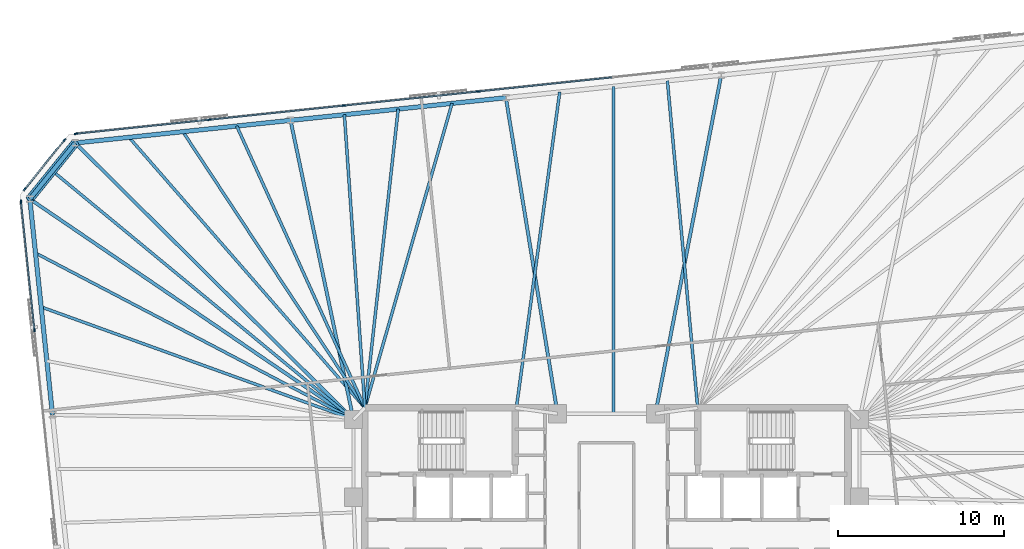
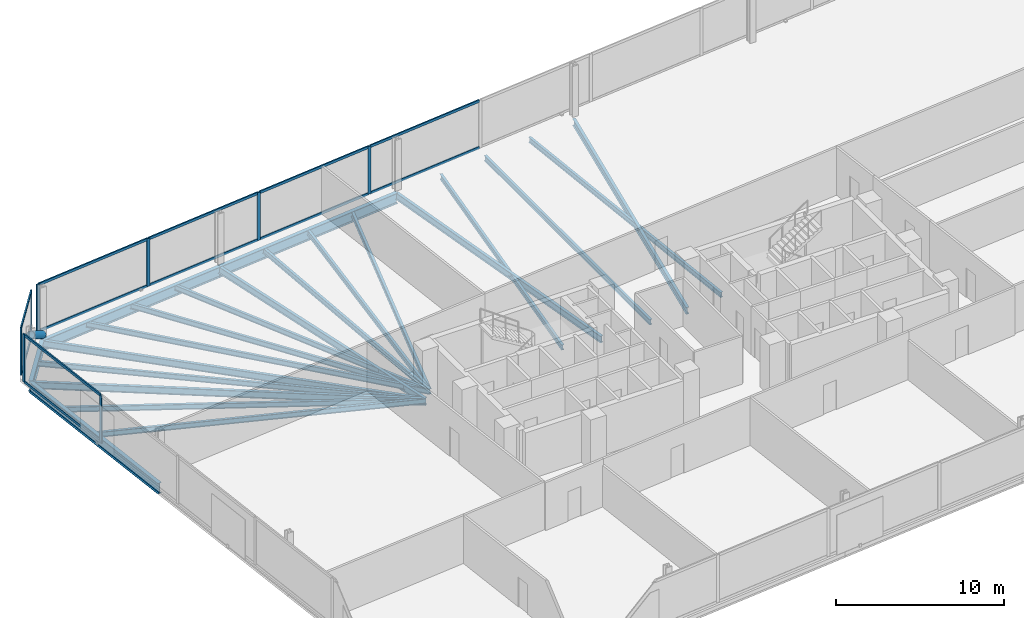
# One storey, part 9 of 18: 21 beams, 21 members, 3 elements without a shape of their own.
"""IFC4 building model written with IfcOpenShell, lengths in metres."""

import ifcopenshell
import ifcopenshell.guid

model = None  # the IFC model being written
_history = None  # IfcOwnerHistory: only IFC2X3 demands one
_inside = {}  # id of a spatial element -> (the spatial element, [elements in it])
_under = {}  # id of a project, library or spatial element -> (it, [spatial elements below it])
_declared = {}  # id of a project -> (the project, [libraries it declares])
_typed = {}  # id of a type object -> (the type object, [elements of that type])
_made_of = {}  # id of a material, layer set ... -> (it, [elements and type objects made of it])


def new_model(schema):
    """Start an empty IFC model of exactly this schema.

    Asked for "IFC4X3", IfcOpenShell would pick the latest addendum, in which some entities
    have other attributes; the version numbers below select the first issue.
    IFC2X3 requires an IfcOwnerHistory on every rooted entity: one is made here for all.
    """
    global model, _history
    if schema == "IFC4X3":
        model = ifcopenshell.file(schema_version=(4, 3, 0, 0))
    else:
        model = ifcopenshell.file(schema=schema)
    _inside.clear()
    _under.clear()
    _declared.clear()
    _typed.clear()
    _made_of.clear()
    _history = None
    if model.schema == "IFC2X3":
        org = make("IfcOrganization", Name="unknown")
        user = make(
            "IfcPersonAndOrganization",
            ThePerson=make("IfcPerson", FamilyName="unknown"),
            TheOrganization=org,
        )
        app = make(
            "IfcApplication",
            ApplicationDeveloper=org,
            Version="unknown",
            ApplicationFullName="unknown",
            ApplicationIdentifier="unknown",
        )
        _history = make(
            "IfcOwnerHistory",
            OwningUser=user,
            OwningApplication=app,
            ChangeAction="ADDED",
            CreationDate=0,
        )
    return model


def make(cls, **values):
    """One entity of the class cls with the attributes given. An attribute that is None is left unset."""
    return model.create_entity(
        cls, **{name: value for name, value in values.items() if value is not None}
    )


def rooted(cls, **values):
    """An entity with a GlobalId (a new one), such as an element, a storey or a relation."""
    return make(cls, GlobalId=ifcopenshell.guid.new(), OwnerHistory=_history, **values)


def si_unit(unit_type, name, prefix=None):
    """IfcSIUnit, for example si_unit("LENGTHUNIT", "METRE", prefix="MILLI")."""
    return make("IfcSIUnit", UnitType=unit_type, Prefix=prefix, Name=name)


def assignment(units):
    """IfcUnitAssignment: the units of a project."""
    return None if units is None else make("IfcUnitAssignment", Units=units)


def point(xyz):
    """IfcCartesianPoint."""
    return None if xyz is None else make("IfcCartesianPoint", Coordinates=xyz)


def direction(xyz):
    """IfcDirection."""
    return None if xyz is None else make("IfcDirection", DirectionRatios=xyz)


def frame(location, z_axis=None, x_axis=None):
    """IfcAxis2Placement3D, a coordinate frame: its origin and axes. An axis left out is left unset."""
    return make(
        "IfcAxis2Placement3D",
        Location=point(location),
        Axis=direction(z_axis),
        RefDirection=direction(x_axis),
    )


def frame_2d(location, x_axis=None):
    """IfcAxis2Placement2D, a coordinate frame in the plane: its origin and x axis."""
    return make(
        "IfcAxis2Placement2D", Location=point(location), RefDirection=direction(x_axis)
    )


def origin():
    """The frame at (0, 0, 0) with its axes left unset."""
    return frame((0.0, 0.0, 0.0))


def origin_2d():
    """The frame at (0, 0) in the plane with its x axis left unset."""
    return frame_2d((0.0, 0.0))


def place(relative_to, where):
    """IfcLocalPlacement: puts the frame where relative to a parent placement (None: the world)."""
    return make(
        "IfcLocalPlacement", PlacementRelTo=relative_to, RelativePlacement=where
    )


def context(
    kind, dimensions, precision=None, world=None, true_north=None, identifier=None
):
    """IfcGeometricRepresentationContext, for example the 3D "Model" context."""
    return make(
        "IfcGeometricRepresentationContext",
        ContextIdentifier=identifier,
        ContextType=kind,
        CoordinateSpaceDimension=dimensions,
        Precision=precision,
        WorldCoordinateSystem=world,
        TrueNorth=true_north,
    )


def subcontext(parent, identifier, kind, view, scale=None):
    """IfcGeometricRepresentationSubContext, for example "Body" below "Model"."""
    return make(
        "IfcGeometricRepresentationSubContext",
        ContextIdentifier=identifier,
        ContextType=kind,
        ParentContext=parent,
        TargetScale=scale,
        TargetView=view,
    )


def project(units=None, contexts=None):
    """IfcProject with its units and contexts."""
    return rooted(
        "IfcProject",
        Name="project",
        RepresentationContexts=contexts,
        UnitsInContext=assignment(units),
    )


def spatial(cls, under=None, at=None, **own):
    """A site, building, storey or space (cls), placed at a placement, below another one or the project."""
    s = rooted(cls, ObjectPlacement=at, **own)
    if under is not None:
        _under.setdefault(under.id(), (under, []))[1].append(s)
    return s


def profile(cls, at=None, kind="AREA", **sizes):
    """A parametric profile (cls). Its sizes go by their IFC names, for example OverallWidth=200.0."""
    return make(cls, ProfileType=kind, Position=at, **sizes)


def rectangle(**sizes):
    """IfcRectangleProfileDef."""
    return profile("IfcRectangleProfileDef", **sizes)


def hollow_circle(**sizes):
    """IfcCircleHollowProfileDef."""
    return profile("IfcCircleHollowProfileDef", **sizes)


def i_section(**sizes):
    """IfcIShapeProfileDef."""
    return profile("IfcIShapeProfileDef", **sizes)


def extrude(swept, where, along, depth):
    """IfcExtrudedAreaSolid: the profile swept, set in the frame where, extruded along a direction by depth."""
    return make(
        "IfcExtrudedAreaSolid",
        SweptArea=swept,
        Position=where,
        ExtrudedDirection=direction(along),
        Depth=depth,
    )


def shape(context_of_items, identifier, shape_type, items):
    """IfcShapeRepresentation: the items that make up one representation, for example the "Body"."""
    return make(
        "IfcShapeRepresentation",
        ContextOfItems=context_of_items,
        RepresentationIdentifier=identifier,
        RepresentationType=shape_type,
        Items=items,
    )


def material(Name=None, Category=None):
    """IfcMaterial."""
    return make("IfcMaterial", Name=Name, Category=Category)


def material_profile(
    of_material, cross_section, Name=None, Category=None, Priority=None
):
    """IfcMaterialProfile: a cross section and its material."""
    return make(
        "IfcMaterialProfile",
        Name=Name,
        Material=of_material,
        Profile=cross_section,
        Priority=Priority,
        Category=Category,
    )


def profile_set(profiles, Name=None, composite=None):
    """IfcMaterialProfileSet."""
    return make(
        "IfcMaterialProfileSet",
        Name=Name,
        MaterialProfiles=profiles,
        CompositeProfile=composite,
    )


def made_of(thing, what):
    """Note that an element or type object is made of a material, layer set ...; save() writes the relation."""
    if what is not None:
        _made_of.setdefault(what.id(), (what, []))[1].append(thing)
    return thing


def type_object(cls, material=None, **own):
    """A type object (cls), such as IfcWallType, which elements share."""
    return made_of(rooted(cls, **own), material)


def element(
    cls,
    number,
    at=None,
    inside=None,
    cuts=None,
    type_object=None,
    material=None,
    context=None,
    identifier="Body",
    shape_type=None,
    held_by="IfcProductDefinitionShape",
    body=None,
    shapes=None,
    **own,
):
    """One element of the class cls, such as IfcWall. Its Tag is "e" and its number.

    at: its placement. inside: the storey or other place that contains it. cuts: it is an
    opening in that element (IfcRelVoidsElement). A single representation is given by context,
    identifier, shape_type and body (its items); several are given by shapes. held_by: the class
    of the entity that holds the representations. save() writes the other relations.
    """
    e = rooted(cls, Tag="e%d" % number, ObjectPlacement=at, **own)
    if body is not None:
        shapes = [shape(context, identifier, shape_type, body)]
    if shapes is not None:
        e.Representation = make(held_by, Representations=shapes)
    if inside is not None:
        _inside.setdefault(inside.id(), (inside, []))[1].append(e)
    if cuts is not None:
        rooted(
            "IfcRelVoidsElement", RelatingBuildingElement=cuts, RelatedOpeningElement=e
        )
    if type_object is not None:
        _typed.setdefault(type_object.id(), (type_object, []))[1].append(e)
    return made_of(e, material)


def aggregate(whole, parts):
    """IfcRelAggregates: a whole, such as a stair, and the parts it consists of."""
    return rooted("IfcRelAggregates", RelatingObject=whole, RelatedObjects=parts)


def save(model, path):
    """Write the relations noted so far, then the file.

    IfcRelAggregates (storeys below a building ...), IfcRelContainedInSpatialStructure (elements
    in a storey), IfcRelDefinesByType, IfcRelAssociatesMaterial and IfcRelDeclares: one each for
    every whole, place, type object, material and project.
    """
    for whole, parts in _under.values():
        aggregate(whole, parts)
    for where, things in _inside.values():
        rooted(
            "IfcRelContainedInSpatialStructure",
            RelatedElements=things,
            RelatingStructure=where,
        )
    for kind, things in _typed.values():
        rooted("IfcRelDefinesByType", RelatedObjects=things, RelatingType=kind)
    for what, things in _made_of.values():
        rooted("IfcRelAssociatesMaterial", RelatedObjects=things, RelatingMaterial=what)
    for by, libraries in _declared.values():
        rooted("IfcRelDeclares", RelatingContext=by, RelatedDefinitions=libraries)
    model.write(path)


model = new_model("IFC4")

# Units and contexts
model_context = context("Model", 3, precision=1e-05, world=origin(), true_north=direction((0.0, 1.0)))
body_context = subcontext(model_context, "Body", "Model", "MODEL_VIEW")
ifc_project = project(units=[si_unit("LENGTHUNIT", "METRE"), si_unit("AREAUNIT", "SQUARE_METRE"), si_unit("VOLUMEUNIT", "CUBIC_METRE"), si_unit("PLANEANGLEUNIT", "RADIAN"), si_unit("MASSUNIT", "GRAM", prefix="KILO")], contexts=[model_context])

# Site, building, storey
site_placement = place(None, origin())
site = spatial("IfcSite", under=ifc_project, at=site_placement, CompositionType="ELEMENT")
building_placement = place(site_placement, origin())
building = spatial("IfcBuilding", under=site, at=building_placement, Name="Menara Jurai Vektor", CompositionType="ELEMENT")
storey_placement = place(building_placement, frame((0.0, 0.0, 102.199951171875)))
storey = spatial("IfcBuildingStorey", under=building, at=storey_placement, Name="L25", CompositionType="ELEMENT", Elevation=102.199951171875)

# Curtain wall, members
ifc_material_1 = material(Name="Anodised Pale Aluminium & Low-E Double Glazing", Category="aluminium")
curtain_wall_type = type_object("IfcCurtainWallType", Name="CW-BLK2", PredefinedType="NOTDEFINED", material=ifc_material_1)
curtain_wall_1_placement = place(storey_placement, origin())
curtain_wall_1 = element("IfcCurtainWall", 1, at=curtain_wall_1_placement, inside=storey, type_object=curtain_wall_type, Name="Unitised Curtain Wall L25 F05", PredefinedType="NOTDEFINED")
ifc_material_2 = material(Name="Anodised Pale Aluminium Mullion", Category="aluminium")
ifc_material_profile_1 = material_profile(ifc_material_2, rectangle(XDim=0.090087890625, YDim=0.219970703125, at=origin_2d()), Name="ALU MUL 90x220")
ifc_profile_set_1 = profile_set([ifc_material_profile_1], Name="Anodised Pale Aluminium Mullion")
member_type_1 = type_object("IfcMemberType", Name="CW-BLK2-MUL", PredefinedType="MULLION", material=ifc_profile_set_1)
member_1_placement = place(storey_placement, frame((-7.728271484375, 24.67138671875, 0.0), z_axis=(0.0, 0.0, 1.0), x_axis=(0.104528634935, -0.994521877325, 0.0)))
member_1 = element("IfcMember", 2, at=member_1_placement, type_object=member_type_1, Name="CW-02 mullion 6", PredefinedType="MULLION", context=body_context, shape_type="SweptSolid", body=[
    extrude(rectangle(XDim=0.090087890625, YDim=0.219970703125, at=origin_2d()), origin(), (0.0, 0.0, 1.0), 3.47509765625),
])
member_2_placement = place(storey_placement, frame((-15.826171875, 23.8203125, 0.0), z_axis=(0.0, 0.0, 1.0), x_axis=(0.104528634935, -0.994521877325, 0.0)))
member_2 = element("IfcMember", 3, at=member_2_placement, type_object=member_type_1, Name="CW-02 mullion 7", PredefinedType="MULLION", context=body_context, shape_type="SweptSolid", body=[
    extrude(rectangle(XDim=0.090087890625, YDim=0.219970703125, at=origin_2d()), origin(), (0.0, 0.0, 1.0), 3.47509765625),
])
member_3_placement = place(storey_placement, frame((-23.924072265625, 22.96923828125, 0.0), z_axis=(0.0, 0.0, 1.0), x_axis=(0.104528634935, -0.994521877325, 0.0)))
member_3 = element("IfcMember", 4, at=member_3_placement, type_object=member_type_1, Name="CW-02 mullion 8", PredefinedType="MULLION", context=body_context, shape_type="SweptSolid", body=[
    extrude(rectangle(XDim=0.090087890625, YDim=0.219970703125, at=origin_2d()), origin(), (0.0, 0.0, 1.0), 3.47509765625),
])
member_4_placement = place(storey_placement, frame((-31.97705078125, 22.122802734375, 0.0), z_axis=(0.0, 0.0, 1.0), x_axis=(0.104528634935, -0.994521877325, 0.0)))
member_4 = element("IfcMember", 5, at=member_4_placement, type_object=member_type_1, Name="CW-02 mullion 9", PredefinedType="MULLION", context=body_context, shape_type="SweptSolid", body=[
    extrude(rectangle(XDim=0.090087890625, YDim=0.219970703125, at=origin_2d()), origin(), (0.0, 0.0, 1.0), 3.47509765625),
])

curtain_wall_2_placement = place(storey_placement, origin())
curtain_wall_2 = element("IfcCurtainWall", 6, at=curtain_wall_2_placement, inside=storey, type_object=curtain_wall_type, Name="Unitised Curtain Wall L25 F06", PredefinedType="NOTDEFINED")
member_5_placement = place(storey_placement, frame((-32.667236328125, 21.748046875, 0.0), z_axis=(0.0, 0.0, 1.0), x_axis=(0.777129222223, -0.62934106172, 0.0)))
member_5 = element("IfcMember", 7, at=member_5_placement, type_object=member_type_1, Name="CW-02 mullion 1", PredefinedType="MULLION", context=body_context, shape_type="SweptSolid", body=[
    extrude(rectangle(XDim=0.090087890625, YDim=0.219970703125, at=origin_2d()), origin(), (0.0, 0.0, 1.0), 3.47509765625),
])
member_6_placement = place(storey_placement, frame((-35.0693359375, 18.781982421875, 0.0), z_axis=(0.0, 0.0, 1.0), x_axis=(0.777129222223, -0.62934106172, 0.0)))
member_6 = element("IfcMember", 8, at=member_6_placement, type_object=member_type_1, Name="CW-02 mullion 2", PredefinedType="MULLION", context=body_context, shape_type="SweptSolid", body=[
    extrude(rectangle(XDim=0.090087890625, YDim=0.219970703125, at=origin_2d()), origin(), (0.0, 0.0, 1.0), 3.47509765625),
])

curtain_wall_3_placement = place(storey_placement, origin())
curtain_wall_3 = element("IfcCurtainWall", 9, at=curtain_wall_3_placement, inside=storey, type_object=curtain_wall_type, Name="Unitised Curtain Wall L25 F07", PredefinedType="NOTDEFINED")
member_7_placement = place(storey_placement, frame((-35.29248046875, 18.029052734375, 0.0), z_axis=(0.0, 0.0, 1.0), x_axis=(0.99452177832, 0.104529576902, 0.0)))
member_7 = element("IfcMember", 10, at=member_7_placement, type_object=member_type_1, Name="CW-02 mullion 1", PredefinedType="MULLION", context=body_context, shape_type="SweptSolid", body=[
    extrude(rectangle(XDim=0.090087890625, YDim=0.219970703125, at=origin_2d()), origin(), (0.0, 0.0, 1.0), 3.47509765625),
])
member_8_placement = place(storey_placement, frame((-34.478759765625, 10.28857421875, 0.0), z_axis=(0.0, 0.0, 1.0), x_axis=(0.99452177832, 0.104529576902, 0.0)))
member_8 = element("IfcMember", 11, at=member_8_placement, type_object=member_type_1, Name="CW-02 mullion 2", PredefinedType="MULLION", context=body_context, shape_type="SweptSolid", body=[
    extrude(rectangle(XDim=0.090087890625, YDim=0.219970703125, at=origin_2d()), origin(), (0.0, 0.0, 1.0), 3.47509765625),
])

# Member
ifc_material_3 = material(Name="Anodised Pale Aluminium Transom", Category="aluminium")
ifc_material_profile_2 = material_profile(ifc_material_3, rectangle(XDim=0.090087890625, YDim=0.18505859375, at=origin_2d()), Name="ALU TRN 90x185")
ifc_profile_set_2 = profile_set([ifc_material_profile_2], Name="Anodised Pale Aluminium Transom")
member_type_2 = type_object("IfcMemberType", Name="CW-BLK2-TRN", PredefinedType="USERDEFINED", material=ifc_profile_set_2)
member_9_placement = place(storey_placement, frame((0.324951171875, 25.517822265625, 0.045166015625), z_axis=(-0.99452387809, -0.104509597213, 0.0), x_axis=(0.104509597213, -0.99452387809, 0.0)))
member_9 = element("IfcMember", 12, at=member_9_placement, type_object=member_type_2, Name="CW-02 transom 5.1", ObjectType="TRANSOM", PredefinedType="USERDEFINED", context=body_context, shape_type="SweptSolid", body=[
    extrude(rectangle(XDim=0.090087890625, YDim=0.18505859375, at=origin_2d()), origin(), (0.0, 0.0, 1.0), 8.052490234375),
])

member_10_placement = place(storey_placement, frame((0.324951171875, 25.517822265625, 3.429931640625), z_axis=(-0.99452387809, -0.104509597213, 0.0), x_axis=(0.104509597213, -0.99452387809, 0.0)))
member_10 = element("IfcMember", 13, at=member_10_placement, type_object=member_type_2, Name="CW-02 transom 5.2", ObjectType="TRANSOM", PredefinedType="USERDEFINED", context=body_context, shape_type="SweptSolid", body=[
    extrude(rectangle(XDim=0.090087890625, YDim=0.18505859375, at=origin_2d()), origin(), (0.0, 0.0, 1.0), 8.052490234375),
])

member_11_placement = place(storey_placement, frame((-7.77294921875, 24.666748046875, 0.045166015625), z_axis=(-0.994520726373, -0.10453958492, 0.0), x_axis=(0.10453958492, -0.994520726373, 0.0)))
member_11 = element("IfcMember", 14, at=member_11_placement, type_object=member_type_2, Name="CW-02 transom 6.1", ObjectType="TRANSOM", PredefinedType="USERDEFINED", context=body_context, shape_type="SweptSolid", body=[
    extrude(rectangle(XDim=0.090087890625, YDim=0.18505859375, at=origin_2d()), origin(), (0.0, 0.0, 1.0), 8.052490234375),
])

member_12_placement = place(storey_placement, frame((-7.77294921875, 24.666748046875, 3.429931640625), z_axis=(-0.994520726373, -0.10453958492, 0.0), x_axis=(0.10453958492, -0.994520726373, 0.0)))
member_12 = element("IfcMember", 15, at=member_12_placement, type_object=member_type_2, Name="CW-02 transom 6.2", ObjectType="TRANSOM", PredefinedType="USERDEFINED", context=body_context, shape_type="SweptSolid", body=[
    extrude(rectangle(XDim=0.090087890625, YDim=0.18505859375, at=origin_2d()), origin(), (0.0, 0.0, 1.0), 8.052490234375),
])

member_13_placement = place(storey_placement, frame((-15.870849609375, 23.815673828125, 0.045166015625), z_axis=(-0.994520726373, -0.10453958492, 0.0), x_axis=(0.10453958492, -0.994520726373, 0.0)))
member_13 = element("IfcMember", 16, at=member_13_placement, type_object=member_type_2, Name="CW-02 transom 7.1", ObjectType="TRANSOM", PredefinedType="USERDEFINED", context=body_context, shape_type="SweptSolid", body=[
    extrude(rectangle(XDim=0.090087890625, YDim=0.18505859375, at=origin_2d()), origin(), (0.0, 0.0, 1.0), 8.052490234375),
])

member_14_placement = place(storey_placement, frame((-15.870849609375, 23.815673828125, 3.429931640625), z_axis=(-0.994520726373, -0.10453958492, 0.0), x_axis=(0.10453958492, -0.994520726373, 0.0)))
member_14 = element("IfcMember", 17, at=member_14_placement, type_object=member_type_2, Name="CW-02 transom 7.2", ObjectType="TRANSOM", PredefinedType="USERDEFINED", context=body_context, shape_type="SweptSolid", body=[
    extrude(rectangle(XDim=0.090087890625, YDim=0.18505859375, at=origin_2d()), origin(), (0.0, 0.0, 1.0), 8.052490234375),
])

member_15_placement = place(storey_placement, frame((-23.96875, 22.964599609375, 0.045166015625), z_axis=(-0.994519977808, -0.104546706027, 0.0), x_axis=(0.104546706027, -0.994519977808, 0.0)))
member_15 = element("IfcMember", 18, at=member_15_placement, type_object=member_type_2, Name="CW-02 transom 8.1", ObjectType="TRANSOM", PredefinedType="USERDEFINED", context=body_context, shape_type="SweptSolid", body=[
    extrude(rectangle(XDim=0.090087890625, YDim=0.18505859375, at=origin_2d()), origin(), (0.0, 0.0, 1.0), 8.007568359375),
])

member_16_placement = place(storey_placement, frame((-23.96875, 22.964599609375, 3.429931640625), z_axis=(-0.994519977808, -0.104546706027, 0.0), x_axis=(0.104546706027, -0.994519977808, 0.0)))
member_16 = element("IfcMember", 19, at=member_16_placement, type_object=member_type_2, Name="CW-02 transom 8.2", ObjectType="TRANSOM", PredefinedType="USERDEFINED", context=body_context, shape_type="SweptSolid", body=[
    extrude(rectangle(XDim=0.090087890625, YDim=0.18505859375, at=origin_2d()), origin(), (0.0, 0.0, 1.0), 8.007568359375),
])

aggregate(curtain_wall_1, [member_1, member_2, member_3, member_4, member_9, member_10, member_11, member_12, member_13, member_14, member_15, member_16])

member_17_placement = place(storey_placement, frame((-32.695556640625, 21.713134765625, 0.045166015625), z_axis=(-0.6293414396, -0.777128916205, 0.0), x_axis=(0.777128916205, -0.6293414396, 0.0)))
member_17 = element("IfcMember", 20, at=member_17_placement, type_object=member_type_2, Name="CW-02 transom 1.1", ObjectType="TRANSOM", PredefinedType="USERDEFINED", context=body_context, shape_type="SweptSolid", body=[
    extrude(rectangle(XDim=0.090087890625, YDim=0.18505859375, at=origin_2d()), origin(), (0.0, 0.0, 1.0), 3.726806640625),
])

member_18_placement = place(storey_placement, frame((-32.695556640625, 21.713134765625, 3.429931640625), z_axis=(-0.6293414396, -0.777128916205, 0.0), x_axis=(0.777128916205, -0.6293414396, 0.0)))
member_18 = element("IfcMember", 21, at=member_18_placement, type_object=member_type_2, Name="CW-02 transom 1.2", ObjectType="TRANSOM", PredefinedType="USERDEFINED", context=body_context, shape_type="SweptSolid", body=[
    extrude(rectangle(XDim=0.090087890625, YDim=0.18505859375, at=origin_2d()), origin(), (0.0, 0.0, 1.0), 3.726806640625),
])

aggregate(curtain_wall_2, [member_5, member_6, member_17, member_18])

member_19_placement = place(storey_placement, frame((-35.28759765625, 17.984130859375, 0.045166015625), z_axis=(0.104504716935, -0.994524390922, 0.0), x_axis=(0.994524390922, 0.104504716935, 0.0)))
member_19 = element("IfcMember", 22, at=member_19_placement, type_object=member_type_2, Name="CW-02 transom 1.1", ObjectType="TRANSOM", PredefinedType="USERDEFINED", context=body_context, shape_type="SweptSolid", body=[
    extrude(rectangle(XDim=0.090087890625, YDim=0.18505859375, at=origin_2d()), origin(), (0.0, 0.0, 1.0), 7.693115234375),
])

member_20_placement = place(storey_placement, frame((-35.28759765625, 17.984130859375, 3.429931640625), z_axis=(0.104504716935, -0.994524390922, 0.0), x_axis=(0.994524390922, 0.104504716935, 0.0)))
member_20 = element("IfcMember", 23, at=member_20_placement, type_object=member_type_2, Name="CW-02 transom 1.2", ObjectType="TRANSOM", PredefinedType="USERDEFINED", context=body_context, shape_type="SweptSolid", body=[
    extrude(rectangle(XDim=0.090087890625, YDim=0.18505859375, at=origin_2d()), origin(), (0.0, 0.0, 1.0), 7.693115234375),
])

aggregate(curtain_wall_3, [member_7, member_8, member_19, member_20])

# Beams
ifc_material_4 = material(Name="Steel S355", Category="steel")
ifc_material_profile_3 = material_profile(ifc_material_4, i_section(OverallWidth=0.199951171875, OverallDepth=0.5, WebThickness=0.011962890625, FlangeThickness=0.02001953125, at=origin_2d()), Name="PG 500x200x96")
ifc_profile_set_3 = profile_set([ifc_material_profile_3], Name="Steel S355")
beam_type_1 = type_object("IfcBeamType", Name="STR-BM-500", PredefinedType="BEAM", material=ifc_profile_set_3)
beam_1_placement = place(storey_placement, frame((6.9169921875, 25.65771484375, -0.474853515625), z_axis=(-0.190817481746, -0.981625533826, 0.0), x_axis=(0.981625533826, -0.190817481746, 0.0)))
element("IfcBeam", 24, at=beam_1_placement, inside=storey, type_object=beam_type_1, Name="Radial Floor Girder L25-N3", PredefinedType="BEAM", context=body_context, shape_type="SweptSolid", body=[
    extrude(i_section(OverallWidth=0.199951171875, OverallDepth=0.5, WebThickness=0.011962890625, FlangeThickness=0.02001953125, at=origin_2d()), origin(), (0.0, 0.0, 1.0), 20.789794921875),
])
beam_2_placement = place(storey_placement, frame((-6.0625, 24.29345703125, -0.474853515625), z_axis=(0.161304178177, -0.986904738109, 0.0), x_axis=(0.986904738109, 0.161304178177, 0.0)))
element("IfcBeam", 25, at=beam_2_placement, inside=storey, type_object=beam_type_1, Name="Radial Floor Girder L25-N4", PredefinedType="BEAM", context=body_context, shape_type="SweptSolid", body=[
    extrude(i_section(OverallWidth=0.199951171875, OverallDepth=0.5, WebThickness=0.011962890625, FlangeThickness=0.02001953125, at=origin_2d()), origin(), (0.0, 0.0, 1.0), 19.296142578125),
])
beam_3_placement = place(storey_placement, frame((-19.042236328125, 22.92919921875, -0.474853515625), z_axis=(0.205833499861, -0.978587027471, 0.0), x_axis=(0.978587027471, 0.205833499861, 0.0)))
element("IfcBeam", 26, at=beam_3_placement, inside=storey, type_object=beam_type_1, Name="Radial Floor Girder L25-N5", PredefinedType="BEAM", context=body_context, shape_type="SweptSolid", body=[
    extrude(i_section(OverallWidth=0.199951171875, OverallDepth=0.5, WebThickness=0.011962890625, FlangeThickness=0.02001953125, at=origin_2d()), origin(), (0.0, 0.0, 1.0), 18.423828125),
])
beam_4_placement = place(storey_placement, frame((-32.02197265625, 21.565185546875, -0.474853515625), z_axis=(0.709359361276, -0.704847002242, 0.0), x_axis=(0.704847002242, 0.709359361276, 0.0)))
element("IfcBeam", 27, at=beam_4_placement, inside=storey, type_object=beam_type_1, Name="Radial Floor Girder L25-N6", PredefinedType="BEAM", context=body_context, shape_type="SweptSolid", body=[
    extrude(i_section(OverallWidth=0.199951171875, OverallDepth=0.5, WebThickness=0.011962890625, FlangeThickness=0.02001953125, at=origin_2d()), origin(), (0.0, 0.0, 1.0), 23.643798828125),
])
beam_5_placement = place(storey_placement, frame((-34.756103515625, 18.188720703125, -0.474853515625), z_axis=(0.826440214756, -0.563024485643, 0.0), x_axis=(0.563024485643, 0.826440214756, 0.0)))
element("IfcBeam", 28, at=beam_5_placement, inside=storey, type_object=beam_type_1, Name="Radial Floor Girder L25-W1", PredefinedType="BEAM", context=body_context, shape_type="SweptSolid", body=[
    extrude(i_section(OverallWidth=0.199951171875, OverallDepth=0.5, WebThickness=0.011962890625, FlangeThickness=0.02001953125, at=origin_2d()), origin(), (0.0, 0.0, 1.0), 23.6025390625),
])

# Member
ifc_material_5 = material(Name="Steel S460", Category="steel")
ifc_material_profile_4 = material_profile(ifc_material_5, hollow_circle(Radius=0.25390625, WallThickness=0.02001953125, at=origin_2d()), Name="CHS 508x20")
ifc_profile_set_4 = profile_set([ifc_material_profile_4], Name="Steel S460")
member_type_3 = type_object("IfcMemberType", Name="STR-BR-508", PredefinedType="BRACE", material=ifc_profile_set_4)
member_21_placement = place(storey_placement, frame((-32.02197265625, 21.565185546875, 0.150146484375), z_axis=(-0.51925145818, -0.641240080956, 0.564968213047), x_axis=(0.777154568396, -0.629309762217, 0.0)))
element("IfcMember", 29, at=member_21_placement, inside=storey, type_object=member_type_3, Name="Exoskeleton Corner Brace L25-3", PredefinedType="BRACE", context=body_context, shape_type="SweptSolid", body=[
    extrude(hollow_circle(Radius=0.25390625, WallThickness=0.02001953125, at=origin_2d()), origin(), (0.0, 0.0, 1.0), 5.265625),
])

# Beams
ifc_material_profile_5 = material_profile(ifc_material_4, i_section(OverallWidth=0.175048828125, OverallDepth=0.3798828125, WebThickness=0.010009765625, FlangeThickness=0.014892578125, at=origin_2d()), Name="PG 380x175x58")
ifc_profile_set_5 = profile_set([ifc_material_profile_5], Name="Steel S355")
beam_type_2 = type_object("IfcBeamType", Name="STR-JS-380", PredefinedType="JOIST", material=ifc_profile_set_5)
beam_6_placement = place(storey_placement, frame((3.672119140625, 25.316650390625, -0.4150390625), z_axis=(0.092312082085, -0.995730123829, 0.0), x_axis=(0.995730123829, 0.092312082085, 0.0)))
element("IfcBeam", 30, at=beam_6_placement, inside=storey, type_object=beam_type_2, Name="Radial Secondary Floor Joist L25-JS26", PredefinedType="JOIST", context=body_context, shape_type="SweptSolid", body=[
    extrude(i_section(OverallWidth=0.175048828125, OverallDepth=0.3798828125, WebThickness=0.010009765625, FlangeThickness=0.014892578125, at=origin_2d()), origin(), (0.0, 0.0, 1.0), 19.801025390625),
])
beam_7_placement = place(storey_placement, frame((0.42724609375, 24.9755859375, -0.4150390625), z_axis=(0.0, -1.0, 0.0), x_axis=(1.0, 0.0, 0.0)))
element("IfcBeam", 31, at=beam_7_placement, inside=storey, type_object=beam_type_2, Name="Radial Secondary Floor Joist L25-JS27", PredefinedType="JOIST", context=body_context, shape_type="SweptSolid", body=[
    extrude(i_section(OverallWidth=0.175048828125, OverallDepth=0.3798828125, WebThickness=0.010009765625, FlangeThickness=0.014892578125, at=origin_2d()), origin(), (0.0, 0.0, 1.0), 19.7255859375),
])
beam_8_placement = place(storey_placement, frame((-2.817626953125, 24.634521484375, -0.4150390625), z_axis=(-0.135987109192, -0.990710606652, 0.0), x_axis=(0.990710606652, -0.135987109192, 0.0)))
element("IfcBeam", 32, at=beam_8_placement, inside=storey, type_object=beam_type_2, Name="Radial Secondary Floor Joist L25-JS28", PredefinedType="JOIST", context=body_context, shape_type="SweptSolid", body=[
    extrude(i_section(OverallWidth=0.175048828125, OverallDepth=0.3798828125, WebThickness=0.010009765625, FlangeThickness=0.014892578125, at=origin_2d()), origin(), (0.0, 0.0, 1.0), 19.222412109375),
])
beam_9_placement = place(storey_placement, frame((-9.3076171875, 23.952392578125, -0.4150390625), z_axis=(-0.275153530359, -0.961400298903, 0.0), x_axis=(0.961400298903, -0.275153530359, 0.0)))
element("IfcBeam", 33, at=beam_9_placement, inside=storey, type_object=beam_type_2, Name="Radial Secondary Floor Joist L25-JS29", PredefinedType="JOIST", context=body_context, shape_type="SweptSolid", body=[
    extrude(i_section(OverallWidth=0.175048828125, OverallDepth=0.3798828125, WebThickness=0.010009765625, FlangeThickness=0.014892578125, at=origin_2d()), origin(), (0.0, 0.0, 1.0), 19.089111328125),
])
beam_10_placement = place(storey_placement, frame((-12.552490234375, 23.611328125, -0.4150390625), z_axis=(-0.110776028048, -0.993845396231, 0.0), x_axis=(0.993845396231, -0.110776028048, 0.0)))
element("IfcBeam", 34, at=beam_10_placement, inside=storey, type_object=beam_type_2, Name="Radial Secondary Floor Joist L25-JS30", PredefinedType="JOIST", context=body_context, shape_type="SweptSolid", body=[
    extrude(i_section(OverallWidth=0.175048828125, OverallDepth=0.3798828125, WebThickness=0.010009765625, FlangeThickness=0.014892578125, at=origin_2d()), origin(), (0.0, 0.0, 1.0), 18.122802734375),
])
beam_11_placement = place(storey_placement, frame((-15.79736328125, 23.2705078125, -0.4150390625), z_axis=(0.069850249402, -0.997557488398, 0.0), x_axis=(0.997557488398, 0.069850249402, 0.0)))
element("IfcBeam", 35, at=beam_11_placement, inside=storey, type_object=beam_type_2, Name="Radial Secondary Floor Joist L25-JS31", PredefinedType="JOIST", context=body_context, shape_type="SweptSolid", body=[
    extrude(i_section(OverallWidth=0.175048828125, OverallDepth=0.3798828125, WebThickness=0.010009765625, FlangeThickness=0.014892578125, at=origin_2d()), origin(), (0.0, 0.0, 1.0), 17.713623046875),
])
beam_12_placement = place(storey_placement, frame((-22.287109375, 22.58837890625, -0.4150390625), z_axis=(0.414029617818, -0.910263409992, 0.0), x_axis=(0.910263409992, 0.414029617818, 0.0)))
element("IfcBeam", 36, at=beam_12_placement, inside=storey, type_object=beam_type_2, Name="Radial Secondary Floor Joist L25-JS32", PredefinedType="JOIST", context=body_context, shape_type="SweptSolid", body=[
    extrude(i_section(OverallWidth=0.175048828125, OverallDepth=0.3798828125, WebThickness=0.010009765625, FlangeThickness=0.014892578125, at=origin_2d()), origin(), (0.0, 0.0, 1.0), 18.6630859375),
])
beam_13_placement = place(storey_placement, frame((-25.531982421875, 22.247314453125, -0.4150390625), z_axis=(0.550309675793, -0.834960634239, 0.0), x_axis=(0.834960634239, 0.550309675793, 0.0)))
element("IfcBeam", 37, at=beam_13_placement, inside=storey, type_object=beam_type_2, Name="Radial Secondary Floor Joist L25-JS33", PredefinedType="JOIST", context=body_context, shape_type="SweptSolid", body=[
    extrude(i_section(OverallWidth=0.175048828125, OverallDepth=0.3798828125, WebThickness=0.010009765625, FlangeThickness=0.014892578125, at=origin_2d()), origin(), (0.0, 0.0, 1.0), 19.937744140625),
])
beam_14_placement = place(storey_placement, frame((-28.777099609375, 21.90625, -0.4150390625), z_axis=(0.657172520545, -0.753740192798, 0.0), x_axis=(0.753740192798, 0.657172520545, 0.0)))
element("IfcBeam", 38, at=beam_14_placement, inside=storey, type_object=beam_type_2, Name="Radial Secondary Floor Joist L25-JS34", PredefinedType="JOIST", context=body_context, shape_type="SweptSolid", body=[
    extrude(i_section(OverallWidth=0.175048828125, OverallDepth=0.3798828125, WebThickness=0.010009765625, FlangeThickness=0.014892578125, at=origin_2d()), origin(), (0.0, 0.0, 1.0), 21.633544921875),
])
beam_15_placement = place(storey_placement, frame((-33.388916015625, 19.876953125, -0.4150390625), z_axis=(0.771113505069, -0.636697700876, 0.0), x_axis=(0.636697700876, 0.771113505069, 0.0)))
element("IfcBeam", 39, at=beam_15_placement, inside=storey, type_object=beam_type_2, Name="Radial Secondary Floor Joist L25-JS35", PredefinedType="JOIST", context=body_context, shape_type="SweptSolid", body=[
    extrude(i_section(OverallWidth=0.175048828125, OverallDepth=0.3798828125, WebThickness=0.010009765625, FlangeThickness=0.014892578125, at=origin_2d()), origin(), (0.0, 0.0, 1.0), 23.52294921875),
])
beam_16_placement = place(storey_placement, frame((-34.414306640625, 14.935302734375, -0.4150390625), z_axis=(0.885889402471, -0.463896504179, 0.0), x_axis=(0.463896504179, 0.885889402471, 0.0)))
element("IfcBeam", 40, at=beam_16_placement, inside=storey, type_object=beam_type_2, Name="Radial Secondary Floor Joist L25-JS36", PredefinedType="JOIST", context=body_context, shape_type="SweptSolid", body=[
    extrude(i_section(OverallWidth=0.175048828125, OverallDepth=0.3798828125, WebThickness=0.010009765625, FlangeThickness=0.014892578125, at=origin_2d()), origin(), (0.0, 0.0, 1.0), 21.6328125),
])
beam_17_placement = place(storey_placement, frame((-34.072265625, 11.681884765625, -0.4150390625), z_axis=(0.940792327273, -0.338983475917, 0.0), x_axis=(0.338983475917, 0.940792327273, 0.0)))
element("IfcBeam", 41, at=beam_17_placement, inside=storey, type_object=beam_type_2, Name="Radial Secondary Floor Joist L25-JS37", PredefinedType="JOIST", context=body_context, shape_type="SweptSolid", body=[
    extrude(i_section(OverallWidth=0.175048828125, OverallDepth=0.3798828125, WebThickness=0.010009765625, FlangeThickness=0.014892578125, at=origin_2d()), origin(), (0.0, 0.0, 1.0), 20.0068359375),
])
ifc_material_profile_6 = material_profile(ifc_material_5, i_section(OverallWidth=0.26806640625, OverallDepth=0.77001953125, WebThickness=0.01611328125, FlangeThickness=0.02490234375, FilletRadius=0.01708984375, at=origin_2d()), Name="UKB 762x267x197")
ifc_profile_set_6 = profile_set([ifc_material_profile_6], Name="Steel S460")
beam_type_3 = type_object("IfcBeamType", Name="STR-SP-762", PredefinedType="SPANDREL", material=ifc_profile_set_6)
for number, where, z_axis, x_axis, name in (
    (42, (-6.0625, 24.29345703125, -0.60986328125), (-0.994521636083, -0.104530930169, 0.0), (0.104530930169, -0.994521636083, 0.0), "Exoskeleton Spandrel Beam L25-14"),
    (43, (-19.042236328125, 22.92919921875, -0.60986328125), (-0.994523580592, -0.104512428191, 0.0), (0.104512428191, -0.994523580592, 0.0), "Exoskeleton Spandrel Beam L25-15"),
):
    element("IfcBeam", number, at=place(storey_placement, frame(where, z_axis=z_axis, x_axis=x_axis)), inside=storey, type_object=beam_type_3, Name=name, PredefinedType="SPANDREL", context=body_context, shape_type="SweptSolid", body=[
        extrude(i_section(OverallWidth=0.26806640625, OverallDepth=0.77001953125, WebThickness=0.01611328125, FlangeThickness=0.02490234375, FilletRadius=0.01708984375, at=origin_2d()), origin(), (0.0, 0.0, 1.0), 13.05126953125),
    ])
beam_18_placement = place(storey_placement, frame((-32.02197265625, 21.565185546875, -0.60986328125), z_axis=(-0.629309762217, -0.777154568396, 0.0), x_axis=(0.777154568396, -0.629309762217, 0.0)))
element("IfcBeam", 44, at=beam_18_placement, inside=storey, type_object=beam_type_3, Name="Exoskeleton Spandrel Beam L25-16", PredefinedType="SPANDREL", context=body_context, shape_type="SweptSolid", body=[
    extrude(i_section(OverallWidth=0.26806640625, OverallDepth=0.77001953125, WebThickness=0.01611328125, FlangeThickness=0.02490234375, FilletRadius=0.01708984375, at=origin_2d()), origin(), (0.0, 0.0, 1.0), 4.3447265625),
])
beam_19_placement = place(storey_placement, frame((-34.756103515625, 18.188720703125, -0.60986328125), z_axis=(0.104538130097, -0.994520879296, 0.0), x_axis=(0.994520879296, 0.104538130097, 0.0)))
element("IfcBeam", 45, at=beam_19_placement, inside=storey, type_object=beam_type_3, Name="Exoskeleton Spandrel Beam L25-17", PredefinedType="SPANDREL", context=body_context, shape_type="SweptSolid", body=[
    extrude(i_section(OverallWidth=0.26806640625, OverallDepth=0.77001953125, WebThickness=0.01611328125, FlangeThickness=0.02490234375, FilletRadius=0.01708984375, at=origin_2d()), origin(), (0.0, 0.0, 1.0), 13.08544921875),
])

save(model, "model.ifc")
